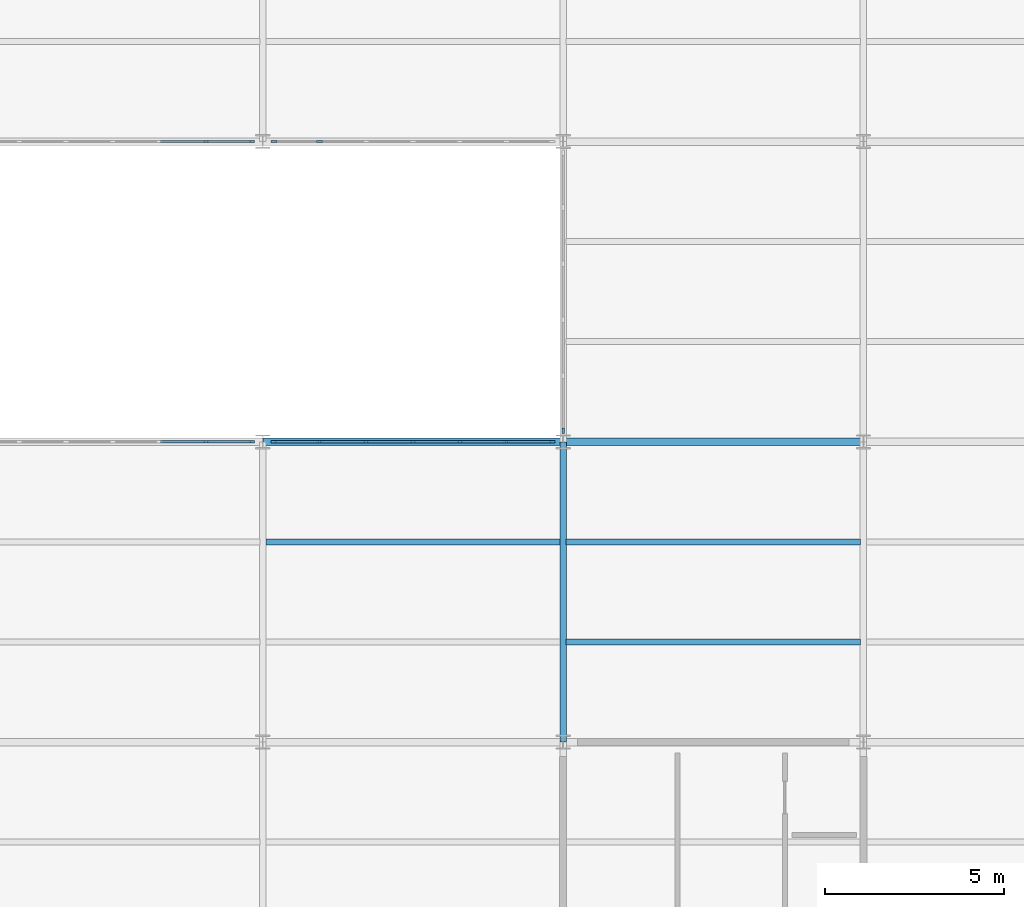
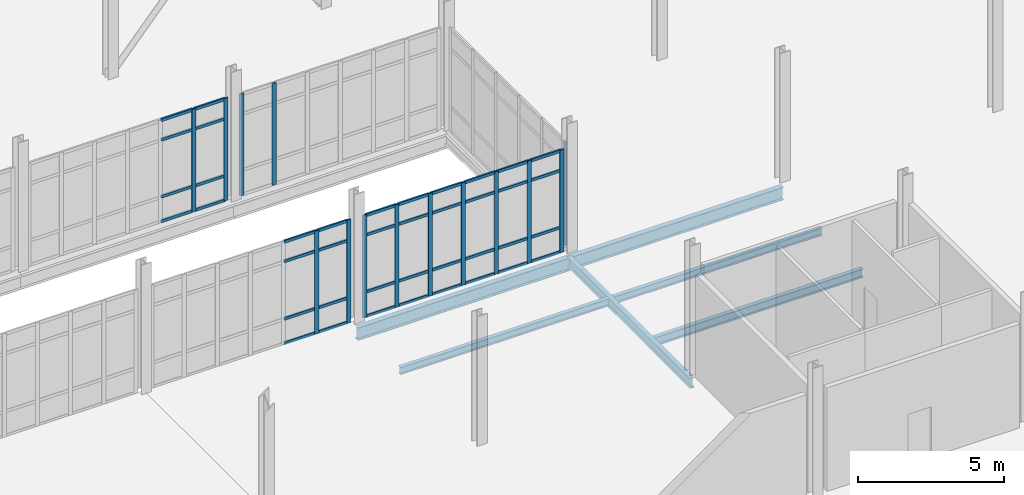
# One storey, part 35 of 111: 54 members, 6 beams, 5 elements without a shape of their own.
"""IFC4 building model written with IfcOpenShell, lengths in metres."""

from ifc_helpers import new_model, si_unit, direction, frame, origin, origin_2d, place, context, subcontext, project, spatial, rectangle, i_section, extrude, material, layer, layer_set, material_profile, profile_set, type_object, element, aggregate, save


model = new_model("IFC4")

# Units and contexts
model_context = context("Model", 3, precision=1e-05, world=origin(), true_north=direction((0.0, 1.0)))
body_context = subcontext(model_context, "Body", "Model", "MODEL_VIEW")
ifc_project = project(units=[si_unit("LENGTHUNIT", "METRE"), si_unit("AREAUNIT", "SQUARE_METRE"), si_unit("VOLUMEUNIT", "CUBIC_METRE"), si_unit("PLANEANGLEUNIT", "RADIAN"), si_unit("MASSUNIT", "GRAM", prefix="KILO"), si_unit("THERMODYNAMICTEMPERATUREUNIT", "KELVIN"), si_unit("POWERUNIT", "WATT")], contexts=[model_context])

# Site, building, storey
site_placement = place(None, origin())
site = spatial("IfcSite", under=ifc_project, at=site_placement, CompositionType="ELEMENT")
building_placement = place(site_placement, origin())
building = spatial("IfcBuilding", under=site, at=building_placement, Name="Tembeka Court Mobility Hub", CompositionType="ELEMENT")
storey_placement = place(building_placement, origin())
storey = spatial("IfcBuildingStorey", under=building, at=storey_placement, Name="L00", CompositionType="ELEMENT", Elevation=0.0)

# Beams
ifc_material_1 = material(Name="Steel S355", Category="steel")
ifc_material_profile_1 = material_profile(ifc_material_1, i_section(OverallWidth=0.177978515625, OverallDepth=0.406005859375, WebThickness=0.0078125, FlangeThickness=0.0126953125, FilletRadius=0.01025390625, at=origin_2d()), Name="UKB 406x178x60")
ifc_profile_set_1 = profile_set([ifc_material_profile_1], Name="Steel S355")
beam_type_1 = type_object("IfcBeamType", Name="BM-B02", PredefinedType="BEAM", material=ifc_profile_set_1)
beam_1_placement = place(storey_placement, frame((58.800048828125, 46.800048828125, -0.48291015625), z_axis=(0.0, 1.0, 0.0), x_axis=(-1.0, 0.0, 0.0)))
element("IfcBeam", 1, at=beam_1_placement, inside=storey, type_object=beam_type_1, Name="Beam B02 (BM-L00-Y0228)", PredefinedType="BEAM", context=body_context, shape_type="SweptSolid", body=[
    extrude(i_section(OverallWidth=0.177978515625, OverallDepth=0.406005859375, WebThickness=0.0078125, FlangeThickness=0.0126953125, FilletRadius=0.01025390625, at=origin_2d()), origin(), (0.0, 0.0, 1.0), 8.39990234375),
])
ifc_material_profile_2 = material_profile(ifc_material_1, i_section(OverallWidth=0.2099609375, OverallDepth=0.537109375, WebThickness=0.0107421875, FlangeThickness=0.017333984375, FilletRadius=0.0126953125, at=origin_2d()), Name="UKB 533x210x101")
ifc_profile_set_2 = profile_set([ifc_material_profile_2], Name="Steel S355")
beam_type_2 = type_object("IfcBeamType", Name="BM-G03", PredefinedType="USERDEFINED", material=ifc_profile_set_2)
beam_2_placement = place(storey_placement, frame((50.39990234375, 55.199951171875, -0.548583984375), z_axis=(1.0, 0.0, 0.0), x_axis=(0.0, 1.0, 0.0)))
element("IfcBeam", 2, at=beam_2_placement, inside=storey, type_object=beam_type_2, Name="Beam G03 (BM-L00-X0081)", ObjectType="GIRDER", PredefinedType="USERDEFINED", context=body_context, shape_type="SweptSolid", body=[
    extrude(i_section(OverallWidth=0.2099609375, OverallDepth=0.537109375, WebThickness=0.0107421875, FlangeThickness=0.017333984375, FilletRadius=0.0126953125, at=origin_2d()), origin(), (0.0, 0.0, 1.0), 8.400146484375),
])
beam_3_placement = place(storey_placement, frame((58.800048828125, 55.199951171875, -0.548583984375), z_axis=(1.0, 0.0, 0.0), x_axis=(0.0, 1.0, 0.0)))
element("IfcBeam", 3, at=beam_3_placement, inside=storey, type_object=beam_type_2, Name="Beam G03 (BM-L00-X0082)", ObjectType="GIRDER", PredefinedType="USERDEFINED", context=body_context, shape_type="SweptSolid", body=[
    extrude(i_section(OverallWidth=0.2099609375, OverallDepth=0.537109375, WebThickness=0.0107421875, FlangeThickness=0.017333984375, FilletRadius=0.0126953125, at=origin_2d()), origin(), (0.0, 0.0, 1.0), 8.39990234375),
])
ifc_material_profile_3 = material_profile(ifc_material_1, i_section(OverallWidth=0.1650390625, OverallDepth=0.303955078125, WebThickness=0.006103515625, FlangeThickness=0.01025390625, FilletRadius=0.0087890625, at=origin_2d()), Name="UKB 305x165x40")
ifc_profile_set_3 = profile_set([ifc_material_profile_3], Name="Steel S355")
beam_type_3 = type_object("IfcBeamType", Name="BM-J02", PredefinedType="JOIST", material=ifc_profile_set_3)
beam_4_placement = place(storey_placement, frame((50.48388671875, 52.39990234375, -0.431884765625), z_axis=(1.0, 0.0, 0.0), x_axis=(0.0, 1.0, 0.0)))
element("IfcBeam", 4, at=beam_4_placement, inside=storey, type_object=beam_type_3, Name="Beam J02 (JST-L00-0440)", PredefinedType="JOIST", context=body_context, shape_type="SweptSolid", body=[
    extrude(i_section(OverallWidth=0.1650390625, OverallDepth=0.303955078125, WebThickness=0.006103515625, FlangeThickness=0.01025390625, FilletRadius=0.0087890625, at=origin_2d()), origin(), (0.0, 0.0, 1.0), 8.232177734375),
])
beam_5_placement = place(storey_placement, frame((58.884033203125, 52.39990234375, -0.431884765625), z_axis=(1.0, 0.0, 0.0), x_axis=(0.0, 1.0, 0.0)))
element("IfcBeam", 5, at=beam_5_placement, inside=storey, type_object=beam_type_3, Name="Beam J02 (JST-L00-0458)", PredefinedType="JOIST", context=body_context, shape_type="SweptSolid", body=[
    extrude(i_section(OverallWidth=0.1650390625, OverallDepth=0.303955078125, WebThickness=0.006103515625, FlangeThickness=0.01025390625, FilletRadius=0.0087890625, at=origin_2d()), origin(), (0.0, 0.0, 1.0), 8.23193359375),
])
ifc_material_profile_4 = material_profile(ifc_material_1, i_section(OverallWidth=0.169921875, OverallDepth=0.360107421875, WebThickness=0.008056640625, FlangeThickness=0.0126953125, FilletRadius=0.01806640625, at=origin_2d()), Name="IPE 360")
ifc_profile_set_4 = profile_set([ifc_material_profile_4], Name="Steel S355")
beam_type_4 = type_object("IfcBeamType", Name="BM-J03", PredefinedType="JOIST", material=ifc_profile_set_4)
beam_6_placement = place(storey_placement, frame((58.884033203125, 49.60009765625, -0.4599609375), z_axis=(1.0, 0.0, 0.0), x_axis=(0.0, 1.0, 0.0)))
element("IfcBeam", 6, at=beam_6_placement, inside=storey, type_object=beam_type_4, Name="Beam J03 (JST-L00-0457)", PredefinedType="JOIST", context=body_context, shape_type="SweptSolid", body=[
    extrude(i_section(OverallWidth=0.169921875, OverallDepth=0.360107421875, WebThickness=0.008056640625, FlangeThickness=0.0126953125, FilletRadius=0.01806640625, at=origin_2d()), origin(), (0.0, 0.0, 1.0), 8.23193359375),
])

# Curtain wall, members
ifc_material_2 = material(Name="Anodised aluminium 6063-T6", Category="aluminium")
ifc_layer_1 = layer(ifc_material_2, 0.159912109375)
ifc_layer_set_1 = layer_set([ifc_layer_1], Name="Anodised aluminium 6063-T6")
curtain_wall_type_1 = type_object("IfcCurtainWallType", Name="CW-SYS21", PredefinedType="USERDEFINED", material=ifc_layer_set_1)
curtain_wall_1_placement = place(storey_placement, origin())
curtain_wall_1 = element("IfcCurtainWall", 7, at=curtain_wall_1_placement, inside=storey, type_object=curtain_wall_type_1, Name="Unitised curtain wall CW21 (CW-L00-039)", ObjectType="UNITISED GLAZING", PredefinedType="USERDEFINED")
ifc_material_profile_5 = material_profile(ifc_material_2, rectangle(XDim=0.06494140625, YDim=0.159912109375, at=origin_2d()), Name="ALU-MUL 65x160")
ifc_profile_set_5 = profile_set([ifc_material_profile_5], Name="Anodised aluminium 6063-T6")
member_type_1 = type_object("IfcMemberType", Name="CW-MUL01", PredefinedType="MULLION", material=ifc_profile_set_5)
member_1_placement = place(storey_placement, frame((48.813232421875, 55.199951171875, 0.0), z_axis=(0.0, 0.0, 1.0), x_axis=(0.0, 1.0, 0.0)))
member_1 = element("IfcMember", 8, at=member_1_placement, type_object=member_type_1, Name="CW21 mullion 6", PredefinedType="MULLION", context=body_context, shape_type="SweptSolid", body=[
    extrude(rectangle(XDim=0.06494140625, YDim=0.159912109375, at=origin_2d()), origin(), (0.0, 0.0, 1.0), 4.294921875),
])
member_2_placement = place(storey_placement, frame((50.08740234375, 55.199951171875, 0.0), z_axis=(0.0, 0.0, 1.0), x_axis=(0.0, 1.0, 0.0)))
member_2 = element("IfcMember", 9, at=member_2_placement, type_object=member_type_1, Name="CW21 mullion 7", PredefinedType="MULLION", context=body_context, shape_type="SweptSolid", body=[
    extrude(rectangle(XDim=0.06494140625, YDim=0.159912109375, at=origin_2d()), origin(), (0.0, 0.0, 1.0), 4.294921875),
])

ifc_layer_2 = layer(ifc_material_2, 0.159912109375)
ifc_layer_set_2 = layer_set([ifc_layer_2], Name="Anodised aluminium 6063-T6")
curtain_wall_type_2 = type_object("IfcCurtainWallType", Name="CW-SYS22", PredefinedType="USERDEFINED", material=ifc_layer_set_2)
curtain_wall_2_placement = place(storey_placement, origin())
curtain_wall_2 = element("IfcCurtainWall", 10, at=curtain_wall_2_placement, inside=storey, type_object=curtain_wall_type_2, Name="Unitised curtain wall CW22 (CW-L00-040)", ObjectType="UNITISED GLAZING", PredefinedType="USERDEFINED")
member_3_placement = place(storey_placement, frame((48.813232421875, 63.60009765625, 0.0), z_axis=(0.0, 0.0, 1.0), x_axis=(0.0, 1.0, 0.0)))
member_3 = element("IfcMember", 11, at=member_3_placement, type_object=member_type_1, Name="CW22 mullion 6", PredefinedType="MULLION", context=body_context, shape_type="SweptSolid", body=[
    extrude(rectangle(XDim=0.06494140625, YDim=0.159912109375, at=origin_2d()), origin(), (0.0, 0.0, 1.0), 4.27490234375),
])
member_4_placement = place(storey_placement, frame((50.08740234375, 63.60009765625, 0.0), z_axis=(0.0, 0.0, 1.0), x_axis=(0.0, 1.0, 0.0)))
member_4 = element("IfcMember", 12, at=member_4_placement, type_object=member_type_1, Name="CW22 mullion 7", PredefinedType="MULLION", context=body_context, shape_type="SweptSolid", body=[
    extrude(rectangle(XDim=0.06494140625, YDim=0.159912109375, at=origin_2d()), origin(), (0.0, 0.0, 1.0), 4.27490234375),
])

curtain_wall_3_placement = place(storey_placement, origin())
curtain_wall_3 = element("IfcCurtainWall", 13, at=curtain_wall_3_placement, inside=storey, type_object=curtain_wall_type_2, Name="Unitised curtain wall CW22 (CW-L00-041)", ObjectType="UNITISED GLAZING", PredefinedType="USERDEFINED")
member_5_placement = place(storey_placement, frame((50.71240234375, 55.199951171875, 0.0), z_axis=(0.0, 0.0, 1.0), x_axis=(0.0, 1.0, 0.0)))
member_5 = element("IfcMember", 14, at=member_5_placement, type_object=member_type_1, Name="CW22 mullion 1", PredefinedType="MULLION", context=body_context, shape_type="SweptSolid", body=[
    extrude(rectangle(XDim=0.06494140625, YDim=0.159912109375, at=origin_2d()), origin(), (0.0, 0.0, 1.0), 4.27490234375),
])
member_6_placement = place(storey_placement, frame((51.986572265625, 55.199951171875, 0.0), z_axis=(0.0, 0.0, 1.0), x_axis=(0.0, 1.0, 0.0)))
member_6 = element("IfcMember", 15, at=member_6_placement, type_object=member_type_1, Name="CW22 mullion 2", PredefinedType="MULLION", context=body_context, shape_type="SweptSolid", body=[
    extrude(rectangle(XDim=0.06494140625, YDim=0.159912109375, at=origin_2d()), origin(), (0.0, 0.0, 1.0), 4.27490234375),
])
member_7_placement = place(storey_placement, frame((53.293212890625, 55.199951171875, 0.0), z_axis=(0.0, 0.0, 1.0), x_axis=(0.0, 1.0, 0.0)))
member_7 = element("IfcMember", 16, at=member_7_placement, type_object=member_type_1, Name="CW22 mullion 3", PredefinedType="MULLION", context=body_context, shape_type="SweptSolid", body=[
    extrude(rectangle(XDim=0.06494140625, YDim=0.159912109375, at=origin_2d()), origin(), (0.0, 0.0, 1.0), 4.27490234375),
])
member_8_placement = place(storey_placement, frame((54.60009765625, 55.199951171875, 0.0), z_axis=(0.0, 0.0, 1.0), x_axis=(0.0, 1.0, 0.0)))
member_8 = element("IfcMember", 17, at=member_8_placement, type_object=member_type_1, Name="CW22 mullion 4", PredefinedType="MULLION", context=body_context, shape_type="SweptSolid", body=[
    extrude(rectangle(XDim=0.06494140625, YDim=0.159912109375, at=origin_2d()), origin(), (0.0, 0.0, 1.0), 4.27490234375),
])
member_9_placement = place(storey_placement, frame((55.90673828125, 55.199951171875, 0.0), z_axis=(0.0, 0.0, 1.0), x_axis=(0.0, 1.0, 0.0)))
member_9 = element("IfcMember", 18, at=member_9_placement, type_object=member_type_1, Name="CW22 mullion 5", PredefinedType="MULLION", context=body_context, shape_type="SweptSolid", body=[
    extrude(rectangle(XDim=0.06494140625, YDim=0.159912109375, at=origin_2d()), origin(), (0.0, 0.0, 1.0), 4.27490234375),
])
member_10_placement = place(storey_placement, frame((57.21337890625, 55.199951171875, 0.0), z_axis=(0.0, 0.0, 1.0), x_axis=(0.0, 1.0, 0.0)))
member_10 = element("IfcMember", 19, at=member_10_placement, type_object=member_type_1, Name="CW22 mullion 6", PredefinedType="MULLION", context=body_context, shape_type="SweptSolid", body=[
    extrude(rectangle(XDim=0.06494140625, YDim=0.159912109375, at=origin_2d()), origin(), (0.0, 0.0, 1.0), 4.27490234375),
])
member_11_placement = place(storey_placement, frame((58.487548828125, 55.199951171875, 0.0), z_axis=(0.0, 0.0, 1.0), x_axis=(0.0, 1.0, 0.0)))
member_11 = element("IfcMember", 20, at=member_11_placement, type_object=member_type_1, Name="CW22 mullion 7", PredefinedType="MULLION", context=body_context, shape_type="SweptSolid", body=[
    extrude(rectangle(XDim=0.06494140625, YDim=0.159912109375, at=origin_2d()), origin(), (0.0, 0.0, 1.0), 4.27490234375),
])

ifc_layer_3 = layer(ifc_material_2, 0.159912109375)
ifc_layer_set_3 = layer_set([ifc_layer_3], Name="Anodised aluminium 6063-T6")
curtain_wall_type_3 = type_object("IfcCurtainWallType", Name="CW-SYS23", PredefinedType="USERDEFINED", material=ifc_layer_set_3)
curtain_wall_4_placement = place(storey_placement, origin())
curtain_wall_4 = element("IfcCurtainWall", 21, at=curtain_wall_4_placement, inside=storey, type_object=curtain_wall_type_3, Name="Unitised curtain wall CW23 (CW-L00-042)", ObjectType="UNITISED GLAZING", PredefinedType="USERDEFINED")
member_12_placement = place(storey_placement, frame((50.71240234375, 63.60009765625, 0.0), z_axis=(0.0, 0.0, 1.0), x_axis=(0.0, 1.0, 0.0)))
member_12 = element("IfcMember", 22, at=member_12_placement, type_object=member_type_1, Name="CW23 mullion 1", PredefinedType="MULLION", context=body_context, shape_type="SweptSolid", body=[
    extrude(rectangle(XDim=0.06494140625, YDim=0.159912109375, at=origin_2d()), origin(), (0.0, 0.0, 1.0), 4.2451171875),
])
member_13_placement = place(storey_placement, frame((51.986572265625, 63.60009765625, 0.0), z_axis=(0.0, 0.0, 1.0), x_axis=(0.0, 1.0, 0.0)))
member_13 = element("IfcMember", 23, at=member_13_placement, type_object=member_type_1, Name="CW23 mullion 2", PredefinedType="MULLION", context=body_context, shape_type="SweptSolid", body=[
    extrude(rectangle(XDim=0.06494140625, YDim=0.159912109375, at=origin_2d()), origin(), (0.0, 0.0, 1.0), 4.2451171875),
])
aggregate(curtain_wall_4, [member_12, member_13])

# Curtain wall, member
ifc_layer_4 = layer(ifc_material_2, 0.159912109375)
ifc_layer_set_4 = layer_set([ifc_layer_4], Name="Anodised aluminium 6063-T6")
curtain_wall_type_4 = type_object("IfcCurtainWallType", Name="CW-SYS01", PredefinedType="USERDEFINED", material=ifc_layer_set_4)
curtain_wall_5_placement = place(storey_placement, origin())
curtain_wall_5 = element("IfcCurtainWall", 24, at=curtain_wall_5_placement, inside=storey, type_object=curtain_wall_type_4, Name="Unitised curtain wall CW01 (CW-L00-044)", ObjectType="UNITISED GLAZING", PredefinedType="USERDEFINED")
member_14_placement = place(storey_placement, frame((58.800048828125, 55.512451171875, 0.0), z_axis=(0.0, 0.0, 1.0), x_axis=(-1.0, 0.0, 0.0)))
member_14 = element("IfcMember", 25, at=member_14_placement, type_object=member_type_1, Name="CW01 mullion 1", PredefinedType="MULLION", context=body_context, shape_type="SweptSolid", body=[
    extrude(rectangle(XDim=0.06494140625, YDim=0.159912109375, at=origin_2d()), origin(), (0.0, 0.0, 1.0), 4.3349609375),
])
aggregate(curtain_wall_5, [member_14])

# Member
ifc_material_profile_6 = material_profile(ifc_material_2, rectangle(XDim=0.06494140625, YDim=0.1201171875, at=origin_2d()), Name="ALU-TRN 65x120")
ifc_profile_set_6 = profile_set([ifc_material_profile_6], Name="Anodised aluminium 6063-T6")
member_type_2 = type_object("IfcMemberType", Name="CW-TRN01", PredefinedType="USERDEFINED", material=ifc_profile_set_6)
member_15_placement = place(storey_placement, frame((47.5390625, 55.199951171875, 0.032470703125), z_axis=(1.0, 0.0, 0.0), x_axis=(0.0, 1.0, 0.0)))
member_15 = element("IfcMember", 26, at=member_15_placement, type_object=member_type_2, Name="CW21 transom 5.1", ObjectType="TRANSOM", PredefinedType="USERDEFINED", context=body_context, shape_type="SweptSolid", body=[
    extrude(rectangle(XDim=0.06494140625, YDim=0.1201171875, at=origin_2d()), origin(), (0.0, 0.0, 1.0), 1.24169921875),
])

member_16_placement = place(storey_placement, frame((47.5390625, 55.199951171875, 1.050048828125), z_axis=(1.0, 0.0, 0.0), x_axis=(0.0, 1.0, 0.0)))
member_16 = element("IfcMember", 27, at=member_16_placement, type_object=member_type_2, Name="CW21 transom 5.2", ObjectType="TRANSOM", PredefinedType="USERDEFINED", context=body_context, shape_type="SweptSolid", body=[
    extrude(rectangle(XDim=0.06494140625, YDim=0.1201171875, at=origin_2d()), origin(), (0.0, 0.0, 1.0), 1.24169921875),
])

member_17_placement = place(storey_placement, frame((47.5390625, 55.199951171875, 3.445068359375), z_axis=(1.0, 0.0, 0.0), x_axis=(0.0, 1.0, 0.0)))
member_17 = element("IfcMember", 28, at=member_17_placement, type_object=member_type_2, Name="CW21 transom 5.3", ObjectType="TRANSOM", PredefinedType="USERDEFINED", context=body_context, shape_type="SweptSolid", body=[
    extrude(rectangle(XDim=0.06494140625, YDim=0.1201171875, at=origin_2d()), origin(), (0.0, 0.0, 1.0), 1.24169921875),
])

member_18_placement = place(storey_placement, frame((47.5390625, 55.199951171875, 4.262451171875), z_axis=(1.0, 0.0, 0.0), x_axis=(0.0, 1.0, 0.0)))
member_18 = element("IfcMember", 29, at=member_18_placement, type_object=member_type_2, Name="CW21 transom 5.4", ObjectType="TRANSOM", PredefinedType="USERDEFINED", context=body_context, shape_type="SweptSolid", body=[
    extrude(rectangle(XDim=0.06494140625, YDim=0.1201171875, at=origin_2d()), origin(), (0.0, 0.0, 1.0), 1.24169921875),
])

member_19_placement = place(storey_placement, frame((48.845947265625, 55.199951171875, 0.032470703125), z_axis=(1.0, 0.0, 0.0), x_axis=(0.0, 1.0, 0.0)))
member_19 = element("IfcMember", 30, at=member_19_placement, type_object=member_type_2, Name="CW21 transom 6.1", ObjectType="TRANSOM", PredefinedType="USERDEFINED", context=body_context, shape_type="SweptSolid", body=[
    extrude(rectangle(XDim=0.06494140625, YDim=0.1201171875, at=origin_2d()), origin(), (0.0, 0.0, 1.0), 1.208984375),
])

member_20_placement = place(storey_placement, frame((48.845947265625, 55.199951171875, 1.050048828125), z_axis=(1.0, 0.0, 0.0), x_axis=(0.0, 1.0, 0.0)))
member_20 = element("IfcMember", 31, at=member_20_placement, type_object=member_type_2, Name="CW21 transom 6.2", ObjectType="TRANSOM", PredefinedType="USERDEFINED", context=body_context, shape_type="SweptSolid", body=[
    extrude(rectangle(XDim=0.06494140625, YDim=0.1201171875, at=origin_2d()), origin(), (0.0, 0.0, 1.0), 1.208984375),
])

member_21_placement = place(storey_placement, frame((48.845947265625, 55.199951171875, 3.445068359375), z_axis=(1.0, 0.0, 0.0), x_axis=(0.0, 1.0, 0.0)))
member_21 = element("IfcMember", 32, at=member_21_placement, type_object=member_type_2, Name="CW21 transom 6.3", ObjectType="TRANSOM", PredefinedType="USERDEFINED", context=body_context, shape_type="SweptSolid", body=[
    extrude(rectangle(XDim=0.06494140625, YDim=0.1201171875, at=origin_2d()), origin(), (0.0, 0.0, 1.0), 1.208984375),
])

member_22_placement = place(storey_placement, frame((48.845947265625, 55.199951171875, 4.262451171875), z_axis=(1.0, 0.0, 0.0), x_axis=(0.0, 1.0, 0.0)))
member_22 = element("IfcMember", 33, at=member_22_placement, type_object=member_type_2, Name="CW21 transom 6.4", ObjectType="TRANSOM", PredefinedType="USERDEFINED", context=body_context, shape_type="SweptSolid", body=[
    extrude(rectangle(XDim=0.06494140625, YDim=0.1201171875, at=origin_2d()), origin(), (0.0, 0.0, 1.0), 1.208984375),
])

aggregate(curtain_wall_1, [member_1, member_2, member_15, member_16, member_17, member_18, member_19, member_20, member_21, member_22])

member_23_placement = place(storey_placement, frame((47.5390625, 63.60009765625, 0.032470703125), z_axis=(1.0, 0.0, 0.0), x_axis=(0.0, 1.0, 0.0)))
member_23 = element("IfcMember", 34, at=member_23_placement, type_object=member_type_2, Name="CW22 transom 5.1", ObjectType="TRANSOM", PredefinedType="USERDEFINED", context=body_context, shape_type="SweptSolid", body=[
    extrude(rectangle(XDim=0.06494140625, YDim=0.1201171875, at=origin_2d()), origin(), (0.0, 0.0, 1.0), 1.24169921875),
])

member_24_placement = place(storey_placement, frame((47.5390625, 63.60009765625, 1.050048828125), z_axis=(1.0, 0.0, 0.0), x_axis=(0.0, 1.0, 0.0)))
member_24 = element("IfcMember", 35, at=member_24_placement, type_object=member_type_2, Name="CW22 transom 5.2", ObjectType="TRANSOM", PredefinedType="USERDEFINED", context=body_context, shape_type="SweptSolid", body=[
    extrude(rectangle(XDim=0.06494140625, YDim=0.1201171875, at=origin_2d()), origin(), (0.0, 0.0, 1.0), 1.24169921875),
])

member_25_placement = place(storey_placement, frame((47.5390625, 63.60009765625, 3.425048828125), z_axis=(1.0, 0.0, 0.0), x_axis=(0.0, 1.0, 0.0)))
member_25 = element("IfcMember", 36, at=member_25_placement, type_object=member_type_2, Name="CW22 transom 5.3", ObjectType="TRANSOM", PredefinedType="USERDEFINED", context=body_context, shape_type="SweptSolid", body=[
    extrude(rectangle(XDim=0.06494140625, YDim=0.1201171875, at=origin_2d()), origin(), (0.0, 0.0, 1.0), 1.24169921875),
])

member_26_placement = place(storey_placement, frame((47.5390625, 63.60009765625, 4.242431640625), z_axis=(1.0, 0.0, 0.0), x_axis=(0.0, 1.0, 0.0)))
member_26 = element("IfcMember", 37, at=member_26_placement, type_object=member_type_2, Name="CW22 transom 5.4", ObjectType="TRANSOM", PredefinedType="USERDEFINED", context=body_context, shape_type="SweptSolid", body=[
    extrude(rectangle(XDim=0.06494140625, YDim=0.1201171875, at=origin_2d()), origin(), (0.0, 0.0, 1.0), 1.24169921875),
])

member_27_placement = place(storey_placement, frame((48.845947265625, 63.60009765625, 0.032470703125), z_axis=(1.0, 0.0, 0.0), x_axis=(0.0, 1.0, 0.0)))
member_27 = element("IfcMember", 38, at=member_27_placement, type_object=member_type_2, Name="CW22 transom 6.1", ObjectType="TRANSOM", PredefinedType="USERDEFINED", context=body_context, shape_type="SweptSolid", body=[
    extrude(rectangle(XDim=0.06494140625, YDim=0.1201171875, at=origin_2d()), origin(), (0.0, 0.0, 1.0), 1.208984375),
])

member_28_placement = place(storey_placement, frame((48.845947265625, 63.60009765625, 1.050048828125), z_axis=(1.0, 0.0, 0.0), x_axis=(0.0, 1.0, 0.0)))
member_28 = element("IfcMember", 39, at=member_28_placement, type_object=member_type_2, Name="CW22 transom 6.2", ObjectType="TRANSOM", PredefinedType="USERDEFINED", context=body_context, shape_type="SweptSolid", body=[
    extrude(rectangle(XDim=0.06494140625, YDim=0.1201171875, at=origin_2d()), origin(), (0.0, 0.0, 1.0), 1.208984375),
])

member_29_placement = place(storey_placement, frame((48.845947265625, 63.60009765625, 3.425048828125), z_axis=(1.0, 0.0, 0.0), x_axis=(0.0, 1.0, 0.0)))
member_29 = element("IfcMember", 40, at=member_29_placement, type_object=member_type_2, Name="CW22 transom 6.3", ObjectType="TRANSOM", PredefinedType="USERDEFINED", context=body_context, shape_type="SweptSolid", body=[
    extrude(rectangle(XDim=0.06494140625, YDim=0.1201171875, at=origin_2d()), origin(), (0.0, 0.0, 1.0), 1.208984375),
])

member_30_placement = place(storey_placement, frame((48.845947265625, 63.60009765625, 4.242431640625), z_axis=(1.0, 0.0, 0.0), x_axis=(0.0, 1.0, 0.0)))
member_30 = element("IfcMember", 41, at=member_30_placement, type_object=member_type_2, Name="CW22 transom 6.4", ObjectType="TRANSOM", PredefinedType="USERDEFINED", context=body_context, shape_type="SweptSolid", body=[
    extrude(rectangle(XDim=0.06494140625, YDim=0.1201171875, at=origin_2d()), origin(), (0.0, 0.0, 1.0), 1.208984375),
])

aggregate(curtain_wall_2, [member_3, member_4, member_23, member_24, member_25, member_26, member_27, member_28, member_29, member_30])

member_31_placement = place(storey_placement, frame((50.7451171875, 55.199951171875, 0.032470703125), z_axis=(1.0, 0.0, 0.0), x_axis=(0.0, 1.0, 0.0)))
member_31 = element("IfcMember", 42, at=member_31_placement, type_object=member_type_2, Name="CW22 transom 1.1", ObjectType="TRANSOM", PredefinedType="USERDEFINED", context=body_context, shape_type="SweptSolid", body=[
    extrude(rectangle(XDim=0.06494140625, YDim=0.1201171875, at=origin_2d()), origin(), (0.0, 0.0, 1.0), 1.208984375),
])

member_32_placement = place(storey_placement, frame((50.7451171875, 55.199951171875, 1.050048828125), z_axis=(1.0, 0.0, 0.0), x_axis=(0.0, 1.0, 0.0)))
member_32 = element("IfcMember", 43, at=member_32_placement, type_object=member_type_2, Name="CW22 transom 1.2", ObjectType="TRANSOM", PredefinedType="USERDEFINED", context=body_context, shape_type="SweptSolid", body=[
    extrude(rectangle(XDim=0.06494140625, YDim=0.1201171875, at=origin_2d()), origin(), (0.0, 0.0, 1.0), 1.208984375),
])

member_33_placement = place(storey_placement, frame((50.7451171875, 55.199951171875, 3.425048828125), z_axis=(1.0, 0.0, 0.0), x_axis=(0.0, 1.0, 0.0)))
member_33 = element("IfcMember", 44, at=member_33_placement, type_object=member_type_2, Name="CW22 transom 1.3", ObjectType="TRANSOM", PredefinedType="USERDEFINED", context=body_context, shape_type="SweptSolid", body=[
    extrude(rectangle(XDim=0.06494140625, YDim=0.1201171875, at=origin_2d()), origin(), (0.0, 0.0, 1.0), 1.208984375),
])

member_34_placement = place(storey_placement, frame((50.7451171875, 55.199951171875, 4.242431640625), z_axis=(1.0, 0.0, 0.0), x_axis=(0.0, 1.0, 0.0)))
member_34 = element("IfcMember", 45, at=member_34_placement, type_object=member_type_2, Name="CW22 transom 1.4", ObjectType="TRANSOM", PredefinedType="USERDEFINED", context=body_context, shape_type="SweptSolid", body=[
    extrude(rectangle(XDim=0.06494140625, YDim=0.1201171875, at=origin_2d()), origin(), (0.0, 0.0, 1.0), 1.208984375),
])

member_35_placement = place(storey_placement, frame((52.019287109375, 55.199951171875, 0.032470703125), z_axis=(1.0, 0.0, 0.0), x_axis=(0.0, 1.0, 0.0)))
member_35 = element("IfcMember", 46, at=member_35_placement, type_object=member_type_2, Name="CW22 transom 2.1", ObjectType="TRANSOM", PredefinedType="USERDEFINED", context=body_context, shape_type="SweptSolid", body=[
    extrude(rectangle(XDim=0.06494140625, YDim=0.1201171875, at=origin_2d()), origin(), (0.0, 0.0, 1.0), 1.241455078125),
])

member_36_placement = place(storey_placement, frame((52.019287109375, 55.199951171875, 1.050048828125), z_axis=(1.0, 0.0, 0.0), x_axis=(0.0, 1.0, 0.0)))
member_36 = element("IfcMember", 47, at=member_36_placement, type_object=member_type_2, Name="CW22 transom 2.2", ObjectType="TRANSOM", PredefinedType="USERDEFINED", context=body_context, shape_type="SweptSolid", body=[
    extrude(rectangle(XDim=0.06494140625, YDim=0.1201171875, at=origin_2d()), origin(), (0.0, 0.0, 1.0), 1.241455078125),
])

member_37_placement = place(storey_placement, frame((52.019287109375, 55.199951171875, 3.425048828125), z_axis=(1.0, 0.0, 0.0), x_axis=(0.0, 1.0, 0.0)))
member_37 = element("IfcMember", 48, at=member_37_placement, type_object=member_type_2, Name="CW22 transom 2.3", ObjectType="TRANSOM", PredefinedType="USERDEFINED", context=body_context, shape_type="SweptSolid", body=[
    extrude(rectangle(XDim=0.06494140625, YDim=0.1201171875, at=origin_2d()), origin(), (0.0, 0.0, 1.0), 1.241455078125),
])

member_38_placement = place(storey_placement, frame((52.019287109375, 55.199951171875, 4.242431640625), z_axis=(1.0, 0.0, 0.0), x_axis=(0.0, 1.0, 0.0)))
member_38 = element("IfcMember", 49, at=member_38_placement, type_object=member_type_2, Name="CW22 transom 2.4", ObjectType="TRANSOM", PredefinedType="USERDEFINED", context=body_context, shape_type="SweptSolid", body=[
    extrude(rectangle(XDim=0.06494140625, YDim=0.1201171875, at=origin_2d()), origin(), (0.0, 0.0, 1.0), 1.241455078125),
])

member_39_placement = place(storey_placement, frame((53.325927734375, 55.199951171875, 0.032470703125), z_axis=(1.0, 0.0, 0.0), x_axis=(0.0, 1.0, 0.0)))
member_39 = element("IfcMember", 50, at=member_39_placement, type_object=member_type_2, Name="CW22 transom 3.1", ObjectType="TRANSOM", PredefinedType="USERDEFINED", context=body_context, shape_type="SweptSolid", body=[
    extrude(rectangle(XDim=0.06494140625, YDim=0.1201171875, at=origin_2d()), origin(), (0.0, 0.0, 1.0), 1.241455078125),
])

member_40_placement = place(storey_placement, frame((53.325927734375, 55.199951171875, 1.050048828125), z_axis=(1.0, 0.0, 0.0), x_axis=(0.0, 1.0, 0.0)))
member_40 = element("IfcMember", 51, at=member_40_placement, type_object=member_type_2, Name="CW22 transom 3.2", ObjectType="TRANSOM", PredefinedType="USERDEFINED", context=body_context, shape_type="SweptSolid", body=[
    extrude(rectangle(XDim=0.06494140625, YDim=0.1201171875, at=origin_2d()), origin(), (0.0, 0.0, 1.0), 1.241455078125),
])

member_41_placement = place(storey_placement, frame((53.325927734375, 55.199951171875, 3.425048828125), z_axis=(1.0, 0.0, 0.0), x_axis=(0.0, 1.0, 0.0)))
member_41 = element("IfcMember", 52, at=member_41_placement, type_object=member_type_2, Name="CW22 transom 3.3", ObjectType="TRANSOM", PredefinedType="USERDEFINED", context=body_context, shape_type="SweptSolid", body=[
    extrude(rectangle(XDim=0.06494140625, YDim=0.1201171875, at=origin_2d()), origin(), (0.0, 0.0, 1.0), 1.241455078125),
])

member_42_placement = place(storey_placement, frame((53.325927734375, 55.199951171875, 4.242431640625), z_axis=(1.0, 0.0, 0.0), x_axis=(0.0, 1.0, 0.0)))
member_42 = element("IfcMember", 53, at=member_42_placement, type_object=member_type_2, Name="CW22 transom 3.4", ObjectType="TRANSOM", PredefinedType="USERDEFINED", context=body_context, shape_type="SweptSolid", body=[
    extrude(rectangle(XDim=0.06494140625, YDim=0.1201171875, at=origin_2d()), origin(), (0.0, 0.0, 1.0), 1.241455078125),
])

member_43_placement = place(storey_placement, frame((54.632568359375, 55.199951171875, 0.032470703125), z_axis=(1.0, 0.0, 0.0), x_axis=(0.0, 1.0, 0.0)))
member_43 = element("IfcMember", 54, at=member_43_placement, type_object=member_type_2, Name="CW22 transom 4.1", ObjectType="TRANSOM", PredefinedType="USERDEFINED", context=body_context, shape_type="SweptSolid", body=[
    extrude(rectangle(XDim=0.06494140625, YDim=0.1201171875, at=origin_2d()), origin(), (0.0, 0.0, 1.0), 1.24169921875),
])

member_44_placement = place(storey_placement, frame((54.632568359375, 55.199951171875, 1.050048828125), z_axis=(1.0, 0.0, 0.0), x_axis=(0.0, 1.0, 0.0)))
member_44 = element("IfcMember", 55, at=member_44_placement, type_object=member_type_2, Name="CW22 transom 4.2", ObjectType="TRANSOM", PredefinedType="USERDEFINED", context=body_context, shape_type="SweptSolid", body=[
    extrude(rectangle(XDim=0.06494140625, YDim=0.1201171875, at=origin_2d()), origin(), (0.0, 0.0, 1.0), 1.24169921875),
])

member_45_placement = place(storey_placement, frame((54.632568359375, 55.199951171875, 3.425048828125), z_axis=(1.0, 0.0, 0.0), x_axis=(0.0, 1.0, 0.0)))
member_45 = element("IfcMember", 56, at=member_45_placement, type_object=member_type_2, Name="CW22 transom 4.3", ObjectType="TRANSOM", PredefinedType="USERDEFINED", context=body_context, shape_type="SweptSolid", body=[
    extrude(rectangle(XDim=0.06494140625, YDim=0.1201171875, at=origin_2d()), origin(), (0.0, 0.0, 1.0), 1.24169921875),
])

member_46_placement = place(storey_placement, frame((54.632568359375, 55.199951171875, 4.242431640625), z_axis=(1.0, 0.0, 0.0), x_axis=(0.0, 1.0, 0.0)))
member_46 = element("IfcMember", 57, at=member_46_placement, type_object=member_type_2, Name="CW22 transom 4.4", ObjectType="TRANSOM", PredefinedType="USERDEFINED", context=body_context, shape_type="SweptSolid", body=[
    extrude(rectangle(XDim=0.06494140625, YDim=0.1201171875, at=origin_2d()), origin(), (0.0, 0.0, 1.0), 1.24169921875),
])

member_47_placement = place(storey_placement, frame((55.939208984375, 55.199951171875, 0.032470703125), z_axis=(1.0, 0.0, 0.0), x_axis=(0.0, 1.0, 0.0)))
member_47 = element("IfcMember", 58, at=member_47_placement, type_object=member_type_2, Name="CW22 transom 5.1", ObjectType="TRANSOM", PredefinedType="USERDEFINED", context=body_context, shape_type="SweptSolid", body=[
    extrude(rectangle(XDim=0.06494140625, YDim=0.1201171875, at=origin_2d()), origin(), (0.0, 0.0, 1.0), 1.24169921875),
])

member_48_placement = place(storey_placement, frame((55.939208984375, 55.199951171875, 1.050048828125), z_axis=(1.0, 0.0, 0.0), x_axis=(0.0, 1.0, 0.0)))
member_48 = element("IfcMember", 59, at=member_48_placement, type_object=member_type_2, Name="CW22 transom 5.2", ObjectType="TRANSOM", PredefinedType="USERDEFINED", context=body_context, shape_type="SweptSolid", body=[
    extrude(rectangle(XDim=0.06494140625, YDim=0.1201171875, at=origin_2d()), origin(), (0.0, 0.0, 1.0), 1.24169921875),
])

member_49_placement = place(storey_placement, frame((55.939208984375, 55.199951171875, 3.425048828125), z_axis=(1.0, 0.0, 0.0), x_axis=(0.0, 1.0, 0.0)))
member_49 = element("IfcMember", 60, at=member_49_placement, type_object=member_type_2, Name="CW22 transom 5.3", ObjectType="TRANSOM", PredefinedType="USERDEFINED", context=body_context, shape_type="SweptSolid", body=[
    extrude(rectangle(XDim=0.06494140625, YDim=0.1201171875, at=origin_2d()), origin(), (0.0, 0.0, 1.0), 1.24169921875),
])

member_50_placement = place(storey_placement, frame((55.939208984375, 55.199951171875, 4.242431640625), z_axis=(1.0, 0.0, 0.0), x_axis=(0.0, 1.0, 0.0)))
member_50 = element("IfcMember", 61, at=member_50_placement, type_object=member_type_2, Name="CW22 transom 5.4", ObjectType="TRANSOM", PredefinedType="USERDEFINED", context=body_context, shape_type="SweptSolid", body=[
    extrude(rectangle(XDim=0.06494140625, YDim=0.1201171875, at=origin_2d()), origin(), (0.0, 0.0, 1.0), 1.24169921875),
])

member_51_placement = place(storey_placement, frame((57.245849609375, 55.199951171875, 0.032470703125), z_axis=(1.0, 0.0, 0.0), x_axis=(0.0, 1.0, 0.0)))
member_51 = element("IfcMember", 62, at=member_51_placement, type_object=member_type_2, Name="CW22 transom 6.1", ObjectType="TRANSOM", PredefinedType="USERDEFINED", context=body_context, shape_type="SweptSolid", body=[
    extrude(rectangle(XDim=0.06494140625, YDim=0.1201171875, at=origin_2d()), origin(), (0.0, 0.0, 1.0), 1.209228515625),
])

member_52_placement = place(storey_placement, frame((57.245849609375, 55.199951171875, 1.050048828125), z_axis=(1.0, 0.0, 0.0), x_axis=(0.0, 1.0, 0.0)))
member_52 = element("IfcMember", 63, at=member_52_placement, type_object=member_type_2, Name="CW22 transom 6.2", ObjectType="TRANSOM", PredefinedType="USERDEFINED", context=body_context, shape_type="SweptSolid", body=[
    extrude(rectangle(XDim=0.06494140625, YDim=0.1201171875, at=origin_2d()), origin(), (0.0, 0.0, 1.0), 1.209228515625),
])

member_53_placement = place(storey_placement, frame((57.245849609375, 55.199951171875, 3.425048828125), z_axis=(1.0, 0.0, 0.0), x_axis=(0.0, 1.0, 0.0)))
member_53 = element("IfcMember", 64, at=member_53_placement, type_object=member_type_2, Name="CW22 transom 6.3", ObjectType="TRANSOM", PredefinedType="USERDEFINED", context=body_context, shape_type="SweptSolid", body=[
    extrude(rectangle(XDim=0.06494140625, YDim=0.1201171875, at=origin_2d()), origin(), (0.0, 0.0, 1.0), 1.209228515625),
])

member_54_placement = place(storey_placement, frame((57.245849609375, 55.199951171875, 4.242431640625), z_axis=(1.0, 0.0, 0.0), x_axis=(0.0, 1.0, 0.0)))
member_54 = element("IfcMember", 65, at=member_54_placement, type_object=member_type_2, Name="CW22 transom 6.4", ObjectType="TRANSOM", PredefinedType="USERDEFINED", context=body_context, shape_type="SweptSolid", body=[
    extrude(rectangle(XDim=0.06494140625, YDim=0.1201171875, at=origin_2d()), origin(), (0.0, 0.0, 1.0), 1.209228515625),
])

aggregate(curtain_wall_3, [member_5, member_6, member_7, member_8, member_9, member_10, member_11, member_31, member_32, member_33, member_34, member_35, member_36, member_37, member_38, member_39, member_40, member_41, member_42, member_43, member_44, member_45, member_46, member_47, member_48, member_49, member_50, member_51, member_52, member_53, member_54])

save(model, "model.ifc")
